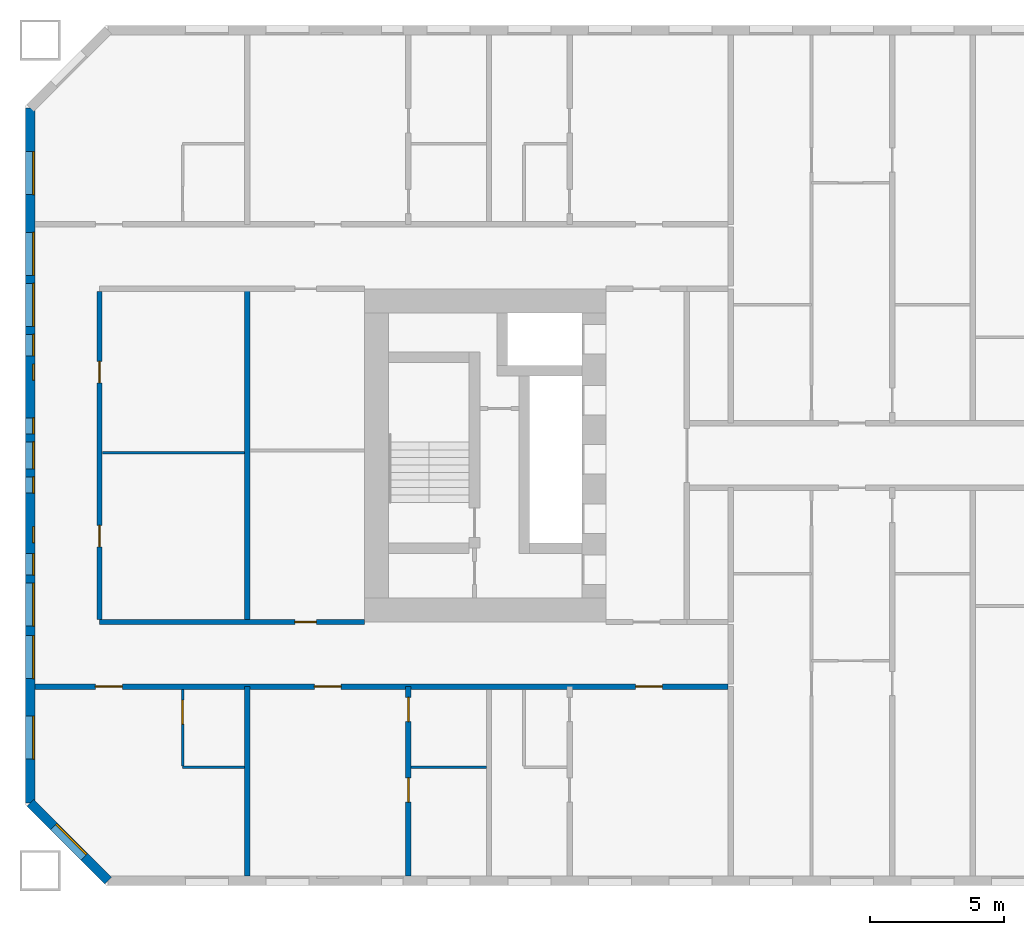
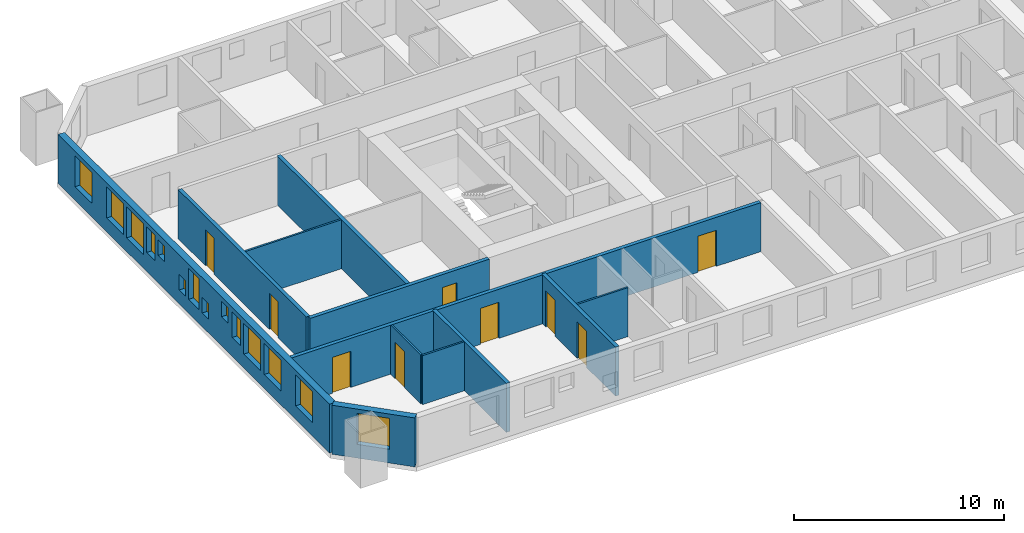
# One storey, part 2 of 17: 14 windows, 12 walls, 9 doors, 23 openings.
"""IFC4 building model written with IfcOpenShell, lengths in metres."""

from ifc_helpers import new_model, si_unit, direction, frame, frame_2d, origin, place, context, subcontext, project, spatial, rectangle, extrude, material, layer, layer_set, type_object, element, fill, save


model = new_model("IFC4")

# Units and contexts
model_context = context("Model", 3, precision=1e-05, world=origin(), true_north=direction((0.0, 1.0)))
body_context = subcontext(model_context, "Body", "Model", "MODEL_VIEW")
ifc_project = project(units=[si_unit("LENGTHUNIT", "METRE"), si_unit("AREAUNIT", "SQUARE_METRE"), si_unit("VOLUMEUNIT", "CUBIC_METRE"), si_unit("PLANEANGLEUNIT", "RADIAN"), si_unit("MASSUNIT", "GRAM", prefix="KILO")], contexts=[model_context])

# Site, building, storey
site_placement = place(None, origin())
site = spatial("IfcSite", under=ifc_project, at=site_placement, CompositionType="ELEMENT")
building_placement = place(site_placement, origin())
building = spatial("IfcBuilding", under=site, at=building_placement, Name="Tuart Gate Housing", CompositionType="ELEMENT")
storey_placement = place(building_placement, frame((0.0, 0.0, 25.699951171875)))
storey = spatial("IfcBuildingStorey", under=building, at=storey_placement, Name="L06", CompositionType="ELEMENT", Elevation=25.699951171875)

# Wall, opening, window
ifc_material_1 = material(Name="Brick", Category="masonry")
ifc_layer_1 = layer(ifc_material_1, 0.360107421875)
ifc_layer_set_1 = layer_set([ifc_layer_1], Name="Brick pier and spandrel wall 360")
wall_type_1 = type_object("IfcWallType", Name="Brick pier and spandrel wall 360", PredefinedType="STANDARD", material=ifc_layer_set_1)
wall_1_placement = place(storey_placement, frame((19.929931640625, 57.07470703125, 0.0), z_axis=(0.0, 0.0, 1.0), x_axis=(0.707106781187, -0.707106781187, 0.0)))
wall_1 = element("IfcWall", 1, at=wall_1_placement, inside=storey, type_object=wall_type_1, Name="External wall A-SW L06", PredefinedType="STANDARD", context=body_context, shape_type="SweptSolid", body=[
    extrude(rectangle(XDim=4.09375, YDim=0.360107421875, at=frame_2d((2.046875, 0.0))), origin(), (0.0, 0.0, 1.0), 2.85009765625),
])
opening_1_placement = place(wall_1_placement, frame((1.2470703125, 0.0, 0.800048828125)))
opening_1 = element("IfcOpeningElement", 2, at=opening_1_placement, cuts=wall_1, Name="Opening W1", PredefinedType="OPENING", context=body_context, shape_type="SweptSolid", body=[
    extrude(rectangle(XDim=1.60009765625, YDim=1.800048828125, at=frame_2d((0.800048828125, 0.89990234375))), frame((0.0, 0.18994140625, 0.0), z_axis=(0.0, -1.0, 0.0), x_axis=(1.0, 0.0, 0.0)), (0.0, 0.0, 1.0), 0.380126953125),
])
ifc_material_2 = material(Name="Aluminium frame with clear glass", Category="aluminium")
window_type_1 = type_object("IfcWindowType", Name="Punched window 1600 x 1800", PartitioningType="SINGLE_PANEL", PredefinedType="WINDOW", material=ifc_material_2)
window_1_placement = place(opening_1_placement, origin())
window_1 = element("IfcWindow", 3, at=window_1_placement, inside=storey, type_object=window_type_1, Name="Window W1", OverallHeight=1.800048828125, OverallWidth=1.60009765625, PartitioningType="SINGLE_PANEL", PredefinedType="WINDOW", context=body_context, shape_type="SweptSolid", body=[
    extrude(rectangle(XDim=1.60009765625, YDim=1.800048828125, at=frame_2d((0.800048828125, 0.89990234375))), frame((0.0, 0.150146484375, 0.0), z_axis=(0.0, -1.0, 0.0), x_axis=(1.0, 0.0, 0.0)), (0.0, 0.0, 1.0), 0.06005859375),
])
fill(opening_1, window_1)

# Wall, openings, windows
wall_2_placement = place(storey_placement, frame((19.929931640625, 82.92529296875, 0.0), z_axis=(0.0, 0.0, 1.0), x_axis=(0.0, -1.0, 0.0)))
wall_2 = element("IfcWall", 4, at=wall_2_placement, inside=storey, type_object=wall_type_1, Name="External wall A-W L06", PredefinedType="STANDARD", context=body_context, shape_type="SweptSolid", body=[
    extrude(rectangle(XDim=25.850830078125, YDim=0.360107421875, at=frame_2d((12.92529296875, 0.0))), origin(), (0.0, 0.0, 1.0), 2.85009765625),
])
opening_2_placement = place(wall_2_placement, frame((1.62548828125, 0.0, 0.800048828125)))
opening_2 = element("IfcOpeningElement", 5, at=opening_2_placement, cuts=wall_2, Name="Opening W1", PredefinedType="OPENING", context=body_context, shape_type="SweptSolid", body=[
    extrude(rectangle(XDim=1.60009765625, YDim=1.800048828125, at=frame_2d((0.800048828125, 0.89990234375))), frame((0.0, 0.18994140625, 0.0), z_axis=(0.0, -1.0, 0.0), x_axis=(1.0, 0.0, 0.0)), (0.0, 0.0, 1.0), 0.380126953125),
])
opening_3_placement = place(wall_2_placement, frame((4.62548828125, 0.0, 0.800048828125)))
opening_3 = element("IfcOpeningElement", 6, at=opening_3_placement, cuts=wall_2, Name="Opening W1", PredefinedType="OPENING", context=body_context, shape_type="SweptSolid", body=[
    extrude(rectangle(XDim=1.60009765625, YDim=1.800048828125, at=frame_2d((0.800048828125, 0.89990234375))), frame((0.0, 0.18994140625, 0.0), z_axis=(0.0, -1.0, 0.0), x_axis=(1.0, 0.0, 0.0)), (0.0, 0.0, 1.0), 0.380126953125),
])
opening_4_placement = place(wall_2_placement, frame((6.525390625, 0.0, 0.800048828125)))
opening_4 = element("IfcOpeningElement", 7, at=opening_4_placement, cuts=wall_2, Name="Opening W1", PredefinedType="OPENING", context=body_context, shape_type="SweptSolid", body=[
    extrude(rectangle(XDim=1.60009765625, YDim=1.800048828125, at=frame_2d((0.800048828125, 0.89990234375))), frame((0.0, 0.18994140625, 0.0), z_axis=(0.0, -1.0, 0.0), x_axis=(1.0, 0.0, 0.0)), (0.0, 0.0, 1.0), 0.380126953125),
])
opening_5_placement = place(wall_2_placement, frame((8.42529296875, 0.0, 1.10009765625)))
opening_5 = element("IfcOpeningElement", 8, at=opening_5_placement, cuts=wall_2, Name="Opening W1J", PredefinedType="OPENING", context=body_context, shape_type="SweptSolid", body=[
    extrude(rectangle(XDim=0.800048828125, YDim=1.5, at=frame_2d((0.39990234375, 0.75))), frame((0.0, 0.18994140625, 0.0), z_axis=(0.0, -1.0, 0.0), x_axis=(1.0, 0.0, 0.0)), (0.0, 0.0, 1.0), 0.380126953125),
])
opening_6_placement = place(wall_2_placement, frame((9.525390625, 0.0, 1.60009765625)))
opening_6 = element("IfcOpeningElement", 9, at=opening_6_placement, cuts=wall_2, Name="Opening W1W", PredefinedType="OPENING", context=body_context, shape_type="SweptSolid", body=[
    extrude(rectangle(XDim=0.60009765625, YDim=0.89990234375, at=frame_2d((0.300048828125, 0.449951171875))), frame((0.0, 0.18994140625, 0.0), z_axis=(0.0, -1.0, 0.0), x_axis=(1.0, 0.0, 0.0)), (0.0, 0.0, 1.0), 0.380126953125),
])
opening_7_placement = place(wall_2_placement, frame((11.525390625, 0.0, 0.800048828125)))
opening_7 = element("IfcOpeningElement", 10, at=opening_7_placement, cuts=wall_2, Name="Opening W1W", PredefinedType="OPENING", context=body_context, shape_type="SweptSolid", body=[
    extrude(rectangle(XDim=0.60009765625, YDim=0.89990234375, at=frame_2d((0.300048828125, 0.449951171875))), frame((0.0, 0.18994140625, 0.0), z_axis=(0.0, -1.0, 0.0), x_axis=(1.0, 0.0, 0.0)), (0.0, 0.0, 1.0), 0.380126953125),
])
opening_8_placement = place(wall_2_placement, frame((19.62548828125, 0.0, 0.800048828125)))
opening_8 = element("IfcOpeningElement", 11, at=opening_8_placement, cuts=wall_2, Name="Opening W1", PredefinedType="OPENING", context=body_context, shape_type="SweptSolid", body=[
    extrude(rectangle(XDim=1.60009765625, YDim=1.800048828125, at=frame_2d((0.800048828125, 0.89990234375))), frame((0.0, 0.18994140625, 0.0), z_axis=(0.0, -1.0, 0.0), x_axis=(1.0, 0.0, 0.0)), (0.0, 0.0, 1.0), 0.380126953125),
])
opening_9_placement = place(wall_2_placement, frame((22.62548828125, 0.0, 0.800048828125)))
opening_9 = element("IfcOpeningElement", 12, at=opening_9_placement, cuts=wall_2, Name="Opening W1", PredefinedType="OPENING", context=body_context, shape_type="SweptSolid", body=[
    extrude(rectangle(XDim=1.60009765625, YDim=1.800048828125, at=frame_2d((0.800048828125, 0.89990234375))), frame((0.0, 0.18994140625, 0.0), z_axis=(0.0, -1.0, 0.0), x_axis=(1.0, 0.0, 0.0)), (0.0, 0.0, 1.0), 0.380126953125),
])
opening_10_placement = place(wall_2_placement, frame((12.42529296875, 0.0, 0.800048828125)))
opening_10 = element("IfcOpeningElement", 13, at=opening_10_placement, cuts=wall_2, Name="Opening W1C", PredefinedType="OPENING", context=body_context, shape_type="SweptSolid", body=[
    extrude(rectangle(XDim=1.0, YDim=1.800048828125, at=frame_2d((0.5, 0.89990234375))), frame((0.0, 0.18994140625, 0.0), z_axis=(0.0, -1.0, 0.0), x_axis=(1.0, 0.0, 0.0)), (0.0, 0.0, 1.0), 0.380126953125),
])
opening_11_placement = place(wall_2_placement, frame((13.725341796875, 0.0, 0.800048828125)))
opening_11 = element("IfcOpeningElement", 14, at=opening_11_placement, cuts=wall_2, Name="Opening W1W", PredefinedType="OPENING", context=body_context, shape_type="SweptSolid", body=[
    extrude(rectangle(XDim=0.60009765625, YDim=0.89990234375, at=frame_2d((0.300048828125, 0.449951171875))), frame((0.0, 0.18994140625, 0.0), z_axis=(0.0, -1.0, 0.0), x_axis=(1.0, 0.0, 0.0)), (0.0, 0.0, 1.0), 0.380126953125),
])
opening_12_placement = place(wall_2_placement, frame((15.575439453125, 0.0, 1.699951171875)))
opening_12 = element("IfcOpeningElement", 15, at=opening_12_placement, cuts=wall_2, Name="Opening W1W", PredefinedType="OPENING", context=body_context, shape_type="SweptSolid", body=[
    extrude(rectangle(XDim=0.60009765625, YDim=0.89990234375, at=frame_2d((0.300048828125, 0.449951171875))), frame((0.0, 0.18994140625, 0.0), z_axis=(0.0, -1.0, 0.0), x_axis=(1.0, 0.0, 0.0)), (0.0, 0.0, 1.0), 0.380126953125),
])
opening_13_placement = place(wall_2_placement, frame((16.575439453125, 0.0, 1.10009765625)))
opening_13 = element("IfcOpeningElement", 16, at=opening_13_placement, cuts=wall_2, Name="Opening W1J", PredefinedType="OPENING", context=body_context, shape_type="SweptSolid", body=[
    extrude(rectangle(XDim=0.800048828125, YDim=1.5, at=frame_2d((0.39990234375, 0.75))), frame((0.0, 0.18994140625, 0.0), z_axis=(0.0, -1.0, 0.0), x_axis=(1.0, 0.0, 0.0)), (0.0, 0.0, 1.0), 0.380126953125),
])
opening_14_placement = place(wall_2_placement, frame((17.67529296875, 0.0, 0.800048828125)))
opening_14 = element("IfcOpeningElement", 17, at=opening_14_placement, cuts=wall_2, Name="Opening W1", PredefinedType="OPENING", context=body_context, shape_type="SweptSolid", body=[
    extrude(rectangle(XDim=1.60009765625, YDim=1.800048828125, at=frame_2d((0.800048828125, 0.89990234375))), frame((0.0, 0.18994140625, 0.0), z_axis=(0.0, -1.0, 0.0), x_axis=(1.0, 0.0, 0.0)), (0.0, 0.0, 1.0), 0.380126953125),
])
ifc_material_3 = material(Name="Aluminium frame with clear glass", Category="aluminium")
window_type_2 = type_object("IfcWindowType", Name="Punched window 1000 x 1800", PartitioningType="SINGLE_PANEL", PredefinedType="WINDOW", material=ifc_material_3)
window_2_placement = place(opening_10_placement, origin())
window_2 = element("IfcWindow", 18, at=window_2_placement, inside=storey, type_object=window_type_2, Name="Window W1C", OverallHeight=1.800048828125, OverallWidth=1.0, PartitioningType="SINGLE_PANEL", PredefinedType="WINDOW", context=body_context, shape_type="SweptSolid", body=[
    extrude(rectangle(XDim=1.0, YDim=1.800048828125, at=frame_2d((0.5, 0.89990234375))), frame((0.0, 0.150146484375, 0.0), z_axis=(0.0, -1.0, 0.0), x_axis=(1.0, 0.0, 0.0)), (0.0, 0.0, 1.0), 0.06005859375),
])
fill(opening_10, window_2)
window_3_placement = place(opening_2_placement, origin())
window_3 = element("IfcWindow", 19, at=window_3_placement, inside=storey, type_object=window_type_1, Name="Window W1", OverallHeight=1.800048828125, OverallWidth=1.60009765625, PartitioningType="SINGLE_PANEL", PredefinedType="WINDOW", context=body_context, shape_type="SweptSolid", body=[
    extrude(rectangle(XDim=1.60009765625, YDim=1.800048828125, at=frame_2d((0.800048828125, 0.89990234375))), frame((0.0, 0.150146484375, 0.0), z_axis=(0.0, -1.0, 0.0), x_axis=(1.0, 0.0, 0.0)), (0.0, 0.0, 1.0), 0.06005859375),
])
fill(opening_2, window_3)
window_4_placement = place(opening_3_placement, origin())
window_4 = element("IfcWindow", 20, at=window_4_placement, inside=storey, type_object=window_type_1, Name="Window W1", OverallHeight=1.800048828125, OverallWidth=1.60009765625, PartitioningType="SINGLE_PANEL", PredefinedType="WINDOW", context=body_context, shape_type="SweptSolid", body=[
    extrude(rectangle(XDim=1.60009765625, YDim=1.800048828125, at=frame_2d((0.800048828125, 0.89990234375))), frame((0.0, 0.150146484375, 0.0), z_axis=(0.0, -1.0, 0.0), x_axis=(1.0, 0.0, 0.0)), (0.0, 0.0, 1.0), 0.06005859375),
])
fill(opening_3, window_4)
window_5_placement = place(opening_4_placement, origin())
window_5 = element("IfcWindow", 21, at=window_5_placement, inside=storey, type_object=window_type_1, Name="Window W1", OverallHeight=1.800048828125, OverallWidth=1.60009765625, PartitioningType="SINGLE_PANEL", PredefinedType="WINDOW", context=body_context, shape_type="SweptSolid", body=[
    extrude(rectangle(XDim=1.60009765625, YDim=1.800048828125, at=frame_2d((0.800048828125, 0.89990234375))), frame((0.0, 0.150146484375, 0.0), z_axis=(0.0, -1.0, 0.0), x_axis=(1.0, 0.0, 0.0)), (0.0, 0.0, 1.0), 0.06005859375),
])
fill(opening_4, window_5)
window_6_placement = place(opening_8_placement, origin())
window_6 = element("IfcWindow", 22, at=window_6_placement, inside=storey, type_object=window_type_1, Name="Window W1", OverallHeight=1.800048828125, OverallWidth=1.60009765625, PartitioningType="SINGLE_PANEL", PredefinedType="WINDOW", context=body_context, shape_type="SweptSolid", body=[
    extrude(rectangle(XDim=1.60009765625, YDim=1.800048828125, at=frame_2d((0.800048828125, 0.89990234375))), frame((0.0, 0.150146484375, 0.0), z_axis=(0.0, -1.0, 0.0), x_axis=(1.0, 0.0, 0.0)), (0.0, 0.0, 1.0), 0.06005859375),
])
fill(opening_8, window_6)
window_7_placement = place(opening_9_placement, origin())
window_7 = element("IfcWindow", 23, at=window_7_placement, inside=storey, type_object=window_type_1, Name="Window W1", OverallHeight=1.800048828125, OverallWidth=1.60009765625, PartitioningType="SINGLE_PANEL", PredefinedType="WINDOW", context=body_context, shape_type="SweptSolid", body=[
    extrude(rectangle(XDim=1.60009765625, YDim=1.800048828125, at=frame_2d((0.800048828125, 0.89990234375))), frame((0.0, 0.150146484375, 0.0), z_axis=(0.0, -1.0, 0.0), x_axis=(1.0, 0.0, 0.0)), (0.0, 0.0, 1.0), 0.06005859375),
])
fill(opening_9, window_7)
window_8_placement = place(opening_14_placement, origin())
window_8 = element("IfcWindow", 24, at=window_8_placement, inside=storey, type_object=window_type_1, Name="Window W1", OverallHeight=1.800048828125, OverallWidth=1.60009765625, PartitioningType="SINGLE_PANEL", PredefinedType="WINDOW", context=body_context, shape_type="SweptSolid", body=[
    extrude(rectangle(XDim=1.60009765625, YDim=1.800048828125, at=frame_2d((0.800048828125, 0.89990234375))), frame((0.0, 0.150146484375, 0.0), z_axis=(0.0, -1.0, 0.0), x_axis=(1.0, 0.0, 0.0)), (0.0, 0.0, 1.0), 0.06005859375),
])
fill(opening_14, window_8)
ifc_material_4 = material(Name="Aluminium frame with clear glass", Category="aluminium")
window_type_3 = type_object("IfcWindowType", Name="Punched window 600 x 900", PartitioningType="SINGLE_PANEL", PredefinedType="WINDOW", material=ifc_material_4)
window_9_placement = place(opening_6_placement, origin())
window_9 = element("IfcWindow", 25, at=window_9_placement, inside=storey, type_object=window_type_3, Name="Window W1W", OverallHeight=0.89990234375, OverallWidth=0.60009765625, PartitioningType="SINGLE_PANEL", PredefinedType="WINDOW", context=body_context, shape_type="SweptSolid", body=[
    extrude(rectangle(XDim=0.60009765625, YDim=0.89990234375, at=frame_2d((0.300048828125, 0.449951171875))), frame((0.0, 0.150146484375, 0.0), z_axis=(0.0, -1.0, 0.0), x_axis=(1.0, 0.0, 0.0)), (0.0, 0.0, 1.0), 0.06005859375),
])
fill(opening_6, window_9)
window_10_placement = place(opening_7_placement, origin())
window_10 = element("IfcWindow", 26, at=window_10_placement, inside=storey, type_object=window_type_3, Name="Window W1W", OverallHeight=0.89990234375, OverallWidth=0.60009765625, PartitioningType="SINGLE_PANEL", PredefinedType="WINDOW", context=body_context, shape_type="SweptSolid", body=[
    extrude(rectangle(XDim=0.60009765625, YDim=0.89990234375, at=frame_2d((0.300048828125, 0.449951171875))), frame((0.0, 0.150146484375, 0.0), z_axis=(0.0, -1.0, 0.0), x_axis=(1.0, 0.0, 0.0)), (0.0, 0.0, 1.0), 0.06005859375),
])
fill(opening_7, window_10)
window_11_placement = place(opening_11_placement, origin())
window_11 = element("IfcWindow", 27, at=window_11_placement, inside=storey, type_object=window_type_3, Name="Window W1W", OverallHeight=0.89990234375, OverallWidth=0.60009765625, PartitioningType="SINGLE_PANEL", PredefinedType="WINDOW", context=body_context, shape_type="SweptSolid", body=[
    extrude(rectangle(XDim=0.60009765625, YDim=0.89990234375, at=frame_2d((0.300048828125, 0.449951171875))), frame((0.0, 0.150146484375, 0.0), z_axis=(0.0, -1.0, 0.0), x_axis=(1.0, 0.0, 0.0)), (0.0, 0.0, 1.0), 0.06005859375),
])
fill(opening_11, window_11)
window_12_placement = place(opening_12_placement, origin())
window_12 = element("IfcWindow", 28, at=window_12_placement, inside=storey, type_object=window_type_3, Name="Window W1W", OverallHeight=0.89990234375, OverallWidth=0.60009765625, PartitioningType="SINGLE_PANEL", PredefinedType="WINDOW", context=body_context, shape_type="SweptSolid", body=[
    extrude(rectangle(XDim=0.60009765625, YDim=0.89990234375, at=frame_2d((0.300048828125, 0.449951171875))), frame((0.0, 0.150146484375, 0.0), z_axis=(0.0, -1.0, 0.0), x_axis=(1.0, 0.0, 0.0)), (0.0, 0.0, 1.0), 0.06005859375),
])
fill(opening_12, window_12)
ifc_material_5 = material(Name="Aluminium frame with clear glass", Category="aluminium")
window_type_4 = type_object("IfcWindowType", Name="Punched window 800 x 1500", PartitioningType="SINGLE_PANEL", PredefinedType="WINDOW", material=ifc_material_5)
window_13_placement = place(opening_5_placement, origin())
window_13 = element("IfcWindow", 29, at=window_13_placement, inside=storey, type_object=window_type_4, Name="Window W1J", OverallHeight=1.5, OverallWidth=0.800048828125, PartitioningType="SINGLE_PANEL", PredefinedType="WINDOW", context=body_context, shape_type="SweptSolid", body=[
    extrude(rectangle(XDim=0.800048828125, YDim=1.5, at=frame_2d((0.39990234375, 0.75))), frame((0.0, 0.150146484375, 0.0), z_axis=(0.0, -1.0, 0.0), x_axis=(1.0, 0.0, 0.0)), (0.0, 0.0, 1.0), 0.06005859375),
])
fill(opening_5, window_13)
window_14_placement = place(opening_13_placement, origin())
window_14 = element("IfcWindow", 30, at=window_14_placement, inside=storey, type_object=window_type_4, Name="Window W1J", OverallHeight=1.5, OverallWidth=0.800048828125, PartitioningType="SINGLE_PANEL", PredefinedType="WINDOW", context=body_context, shape_type="SweptSolid", body=[
    extrude(rectangle(XDim=0.800048828125, YDim=1.5, at=frame_2d((0.39990234375, 0.75))), frame((0.0, 0.150146484375, 0.0), z_axis=(0.0, -1.0, 0.0), x_axis=(1.0, 0.0, 0.0)), (0.0, 0.0, 1.0), 0.06005859375),
])
fill(opening_13, window_14)

# Wall, openings, doors
ifc_material_6 = material(Name="Concrete masonry 15 MPa", Category="masonry")
ifc_layer_2 = layer(ifc_material_6, 0.199951171875)
ifc_layer_set_2 = layer_set([ifc_layer_2], Name="Corridor wall masonry 200")
wall_type_2 = type_object("IfcWallType", Name="Corridor wall masonry 200", PredefinedType="PARTITIONING", material=ifc_layer_set_2)
wall_3_placement = place(storey_placement, frame((20.110107421875, 61.39990234375, 0.0), z_axis=(0.0, 0.0, 1.0), x_axis=(1.0, 0.0, 0.0)))
wall_3 = element("IfcWall", 31, at=wall_3_placement, inside=storey, type_object=wall_type_2, Name="Corridor wall masonry 200", PredefinedType="PARTITIONING", context=body_context, shape_type="SweptSolid", body=[
    extrude(rectangle(XDim=25.789794921875, YDim=0.199951171875, at=frame_2d((12.89501953125, 0.0))), origin(), (0.0, 0.0, 1.0), 2.85009765625),
])
opening_15_placement = place(wall_3_placement, frame((22.340087890625, 0.0, 0.0)))
opening_15 = element("IfcOpeningElement", 32, at=opening_15_placement, cuts=wall_3, Name="Opening D397", PredefinedType="OPENING", context=body_context, shape_type="SweptSolid", body=[
    extrude(rectangle(XDim=1.0, YDim=2.10009765625, at=frame_2d((0.5, 1.050048828125))), frame((0.0, 0.10986328125, 0.0), z_axis=(0.0, -1.0, 0.0), x_axis=(1.0, 0.0, 0.0)), (0.0, 0.0, 1.0), 0.219970703125),
])
opening_16_placement = place(wall_3_placement, frame((10.389892578125, 0.0, 0.0)))
opening_16 = element("IfcOpeningElement", 33, at=opening_16_placement, cuts=wall_3, Name="Opening D398", PredefinedType="OPENING", context=body_context, shape_type="SweptSolid", body=[
    extrude(rectangle(XDim=1.0, YDim=2.10009765625, at=frame_2d((0.5, 1.050048828125))), frame((0.0, 0.10986328125, 0.0), z_axis=(0.0, -1.0, 0.0), x_axis=(1.0, 0.0, 0.0)), (0.0, 0.0, 1.0), 0.219970703125),
])
opening_17_placement = place(wall_3_placement, frame((2.2451171875, 0.0, 0.0)))
opening_17 = element("IfcOpeningElement", 34, at=opening_17_placement, cuts=wall_3, Name="Opening D399", PredefinedType="OPENING", context=body_context, shape_type="SweptSolid", body=[
    extrude(rectangle(XDim=1.0, YDim=2.10009765625, at=frame_2d((0.5, 1.050048828125))), frame((0.0, 0.10986328125, 0.0), z_axis=(0.0, -1.0, 0.0), x_axis=(1.0, 0.0, 0.0)), (0.0, 0.0, 1.0), 0.219970703125),
])
ifc_material_7 = material(Name="Timber door leaf in steel frame", Category="steel")
door_type_1 = type_object("IfcDoorType", Name="Flat entrance door 1000 RH", OperationType="SINGLE_SWING_RIGHT", PredefinedType="DOOR", material=ifc_material_7)
door_1_placement = place(opening_15_placement, frame((1.0, 0.0, 0.0), z_axis=(0.0, 0.0, 1.0), x_axis=(-1.0, 0.0, 0.0)))
door_1 = element("IfcDoor", 35, at=door_1_placement, inside=storey, type_object=door_type_1, Name="Flat entrance door", OperationType="SINGLE_SWING_RIGHT", OverallHeight=2.10009765625, OverallWidth=1.0, PredefinedType="DOOR", context=body_context, shape_type="SweptSolid", body=[
    extrude(rectangle(XDim=1.0, YDim=2.10009765625, at=frame_2d((0.5, 1.050048828125))), frame((0.0, 0.025146484375, 0.0), z_axis=(0.0, -1.0, 0.0), x_axis=(1.0, 0.0, 0.0)), (0.0, 0.0, 1.0), 0.050048828125),
])
fill(opening_15, door_1)
door_2_placement = place(opening_16_placement, frame((1.0, 0.0, 0.0), z_axis=(0.0, 0.0, 1.0), x_axis=(-1.0, 0.0, 0.0)))
door_2 = element("IfcDoor", 36, at=door_2_placement, inside=storey, type_object=door_type_1, Name="Flat entrance door", OperationType="SINGLE_SWING_RIGHT", OverallHeight=2.10009765625, OverallWidth=1.0, PredefinedType="DOOR", context=body_context, shape_type="SweptSolid", body=[
    extrude(rectangle(XDim=1.0, YDim=2.10009765625, at=frame_2d((0.5, 1.050048828125))), frame((0.0, 0.025146484375, 0.0), z_axis=(0.0, -1.0, 0.0), x_axis=(1.0, 0.0, 0.0)), (0.0, 0.0, 1.0), 0.050048828125),
])
fill(opening_16, door_2)
door_3_placement = place(opening_17_placement, frame((1.0, 0.0, 0.0), z_axis=(0.0, 0.0, 1.0), x_axis=(-1.0, 0.0, 0.0)))
door_3 = element("IfcDoor", 37, at=door_3_placement, inside=storey, type_object=door_type_1, Name="Flat entrance door", OperationType="SINGLE_SWING_RIGHT", OverallHeight=2.10009765625, OverallWidth=1.0, PredefinedType="DOOR", context=body_context, shape_type="SweptSolid", body=[
    extrude(rectangle(XDim=1.0, YDim=2.10009765625, at=frame_2d((0.5, 1.050048828125))), frame((0.0, 0.025146484375, 0.0), z_axis=(0.0, -1.0, 0.0), x_axis=(1.0, 0.0, 0.0)), (0.0, 0.0, 1.0), 0.050048828125),
])
fill(opening_17, door_3)

# Wall, opening, door
wall_4_placement = place(storey_placement, frame((22.510009765625, 63.800048828125, 0.0), z_axis=(0.0, 0.0, 1.0), x_axis=(1.0, 0.0, 0.0)))
wall_4 = element("IfcWall", 38, at=wall_4_placement, inside=storey, type_object=wall_type_2, Name="Corridor wall masonry 200", PredefinedType="PARTITIONING", context=body_context, shape_type="SweptSolid", body=[
    extrude(rectangle(XDim=9.85009765625, YDim=0.199951171875, at=frame_2d((4.925048828125, 0.0))), origin(), (0.0, 0.0, 1.0), 2.85009765625),
])
opening_18_placement = place(wall_4_placement, frame((7.27001953125, 0.0, 0.0)))
opening_18 = element("IfcOpeningElement", 39, at=opening_18_placement, cuts=wall_4, Name="Opening D384", PredefinedType="OPENING", context=body_context, shape_type="SweptSolid", body=[
    extrude(rectangle(XDim=0.800048828125, YDim=2.10009765625, at=frame_2d((0.39990234375, 1.050048828125))), frame((0.0, 0.10986328125, 0.0), z_axis=(0.0, -1.0, 0.0), x_axis=(1.0, 0.0, 0.0)), (0.0, 0.0, 1.0), 0.219970703125),
])
ifc_material_8 = material(Name="Timber door leaf in steel frame", Category="steel")
door_type_2 = type_object("IfcDoorType", Name="Store door 800", OperationType="SINGLE_SWING_LEFT", PredefinedType="DOOR", material=ifc_material_8)
door_4_placement = place(opening_18_placement, origin())
door_4 = element("IfcDoor", 40, at=door_4_placement, inside=storey, type_object=door_type_2, Name="Store door", OperationType="SINGLE_SWING_LEFT", OverallHeight=2.10009765625, OverallWidth=0.800048828125, PredefinedType="DOOR", context=body_context, shape_type="SweptSolid", body=[
    extrude(rectangle(XDim=0.800048828125, YDim=2.10009765625, at=frame_2d((0.39990234375, 1.050048828125))), frame((0.0, 0.02490234375, 0.0), z_axis=(0.0, -1.0, 0.0), x_axis=(1.0, 0.0, 0.0)), (0.0, 0.0, 1.0), 0.050048828125),
])
fill(opening_18, door_4)

# Wall, openings, doors
wall_5_placement = place(storey_placement, frame((22.510009765625, 63.89990234375, 0.0), z_axis=(0.0, 0.0, 1.0), x_axis=(0.0, 1.0, 0.0)))
wall_5 = element("IfcWall", 41, at=wall_5_placement, inside=storey, type_object=wall_type_2, Name="Corridor wall masonry 200", PredefinedType="PARTITIONING", context=body_context, shape_type="SweptSolid", body=[
    extrude(rectangle(XDim=12.2001953125, YDim=0.199951171875, at=frame_2d((6.10009765625, 0.0))), origin(), (0.0, 0.0, 1.0), 2.85009765625),
])
opening_19_placement = place(wall_5_placement, frame((2.699951171875, 0.0, 0.0)))
opening_19 = element("IfcOpeningElement", 42, at=opening_19_placement, cuts=wall_5, Name="Opening D373", PredefinedType="OPENING", context=body_context, shape_type="SweptSolid", body=[
    extrude(rectangle(XDim=0.800048828125, YDim=2.10009765625, at=frame_2d((0.39990234375, 1.050048828125))), frame((0.0, 0.10986328125, 0.0), z_axis=(0.0, -1.0, 0.0), x_axis=(1.0, 0.0, 0.0)), (0.0, 0.0, 1.0), 0.219970703125),
])
opening_20_placement = place(wall_5_placement, frame((8.800048828125, 0.0, 0.0)))
opening_20 = element("IfcOpeningElement", 43, at=opening_20_placement, cuts=wall_5, Name="Opening D374", PredefinedType="OPENING", context=body_context, shape_type="SweptSolid", body=[
    extrude(rectangle(XDim=0.800048828125, YDim=2.10009765625, at=frame_2d((0.39990234375, 1.050048828125))), frame((0.0, 0.10986328125, 0.0), z_axis=(0.0, -1.0, 0.0), x_axis=(1.0, 0.0, 0.0)), (0.0, 0.0, 1.0), 0.219970703125),
])
door_5_placement = place(opening_19_placement, frame((0.800048828125, 0.0, 0.0), z_axis=(0.0, 0.0, 1.0), x_axis=(-1.0, 0.0, 0.0)))
door_5 = element("IfcDoor", 44, at=door_5_placement, inside=storey, type_object=door_type_2, Name="Store door", OperationType="SINGLE_SWING_LEFT", OverallHeight=2.10009765625, OverallWidth=0.800048828125, PredefinedType="DOOR", context=body_context, shape_type="SweptSolid", body=[
    extrude(rectangle(XDim=0.800048828125, YDim=2.10009765625, at=frame_2d((0.400146484375, 1.050048828125))), frame((0.0, 0.025146484375, 0.0), z_axis=(0.0, -1.0, 0.0), x_axis=(1.0, 0.0, 0.0)), (0.0, 0.0, 1.0), 0.050048828125),
])
fill(opening_19, door_5)
ifc_material_9 = material(Name="Timber door leaf in steel frame", Category="steel")
door_type_3 = type_object("IfcDoorType", Name="Store door 800 RH", OperationType="SINGLE_SWING_RIGHT", PredefinedType="DOOR", material=ifc_material_9)
door_6_placement = place(opening_20_placement, frame((0.800048828125, 0.0, 0.0), z_axis=(0.0, 0.0, 1.0), x_axis=(-1.0, 0.0, 0.0)))
door_6 = element("IfcDoor", 45, at=door_6_placement, inside=storey, type_object=door_type_3, Name="Store door", OperationType="SINGLE_SWING_RIGHT", OverallHeight=2.10009765625, OverallWidth=0.800048828125, PredefinedType="DOOR", context=body_context, shape_type="SweptSolid", body=[
    extrude(rectangle(XDim=0.800048828125, YDim=2.10009765625, at=frame_2d((0.400146484375, 1.050048828125))), frame((0.0, 0.025146484375, 0.0), z_axis=(0.0, -1.0, 0.0), x_axis=(1.0, 0.0, 0.0)), (0.0, 0.0, 1.0), 0.050048828125),
])
fill(opening_20, door_6)

# Walls
ifc_material_10 = material(Name="Gypsum board on steel studs", Category="steel")
ifc_layer_3 = layer(ifc_material_10, 0.10009765625)
ifc_layer_set_3 = layer_set([ifc_layer_3], Name="Partition 100")
wall_type_3 = type_object("IfcWallType", Name="Partition 100", PredefinedType="PARTITIONING", material=ifc_layer_set_3)
wall_6_placement = place(storey_placement, frame((25.60009765625, 58.39990234375, 0.0), z_axis=(0.0, 0.0, 1.0), x_axis=(1.0, 0.0, 0.0)))
element("IfcWall", 46, at=wall_6_placement, inside=storey, type_object=wall_type_3, Name="Partition 100", PredefinedType="PARTITIONING", context=body_context, shape_type="SweptSolid", body=[
    extrude(rectangle(XDim=2.2998046875, YDim=0.10009765625, at=frame_2d((1.14990234375, 0.0))), origin(), (0.0, 0.0, 1.0), 2.85009765625),
])
wall_7_placement = place(storey_placement, frame((34.10009765625, 58.39990234375, 0.0), z_axis=(0.0, 0.0, 1.0), x_axis=(1.0, 0.0, 0.0)))
element("IfcWall", 47, at=wall_7_placement, inside=storey, type_object=wall_type_3, Name="Partition 100", PredefinedType="PARTITIONING", context=body_context, shape_type="SweptSolid", body=[
    extrude(rectangle(XDim=2.7998046875, YDim=0.10009765625, at=frame_2d((1.39990234375, 0.0))), origin(), (0.0, 0.0, 1.0), 2.85009765625),
])
wall_8_placement = place(storey_placement, frame((22.610107421875, 70.10009765625, 0.0), z_axis=(0.0, 0.0, 1.0), x_axis=(1.0, 0.0, 0.0)))
element("IfcWall", 48, at=wall_8_placement, inside=storey, type_object=wall_type_3, Name="Partition 100", PredefinedType="PARTITIONING", context=body_context, shape_type="SweptSolid", body=[
    extrude(rectangle(XDim=5.289794921875, YDim=0.10009765625, at=frame_2d((2.64501953125, 0.0))), origin(), (0.0, 0.0, 1.0), 2.85009765625),
])

# Wall, opening, door
wall_9_placement = place(storey_placement, frame((25.60009765625, 58.449951171875, 0.0), z_axis=(0.0, 0.0, 1.0), x_axis=(0.0, 1.0, 0.0)))
wall_9 = element("IfcWall", 49, at=wall_9_placement, inside=storey, type_object=wall_type_3, Name="Partition 100", PredefinedType="PARTITIONING", context=body_context, shape_type="SweptSolid", body=[
    extrude(rectangle(XDim=2.85009765625, YDim=0.10009765625, at=frame_2d((1.425048828125, 0.0))), origin(), (0.0, 0.0, 1.0), 2.85009765625),
])
opening_21_placement = place(wall_9_placement, frame((1.550048828125, 0.0, 0.0)))
opening_21 = element("IfcOpeningElement", 50, at=opening_21_placement, cuts=wall_9, Name="Opening D402", PredefinedType="OPENING", context=body_context, shape_type="SweptSolid", body=[
    extrude(rectangle(XDim=0.89990234375, YDim=2.10009765625, at=frame_2d((0.449951171875, 1.050048828125))), frame((0.0, 0.06005859375, 0.0), z_axis=(0.0, -1.0, 0.0), x_axis=(1.0, 0.0, 0.0)), (0.0, 0.0, 1.0), 0.1201171875),
])
ifc_material_11 = material(Name="Timber door leaf in steel frame", Category="steel")
door_type_4 = type_object("IfcDoorType", Name="Bathroom door 900", OperationType="SINGLE_SWING_LEFT", PredefinedType="DOOR", material=ifc_material_11)
door_7_placement = place(opening_21_placement, frame((0.89990234375, 0.0, 0.0), z_axis=(0.0, 0.0, 1.0), x_axis=(-1.0, 0.0, 0.0)))
door_7 = element("IfcDoor", 51, at=door_7_placement, inside=storey, type_object=door_type_4, Name="Bathroom door", OperationType="SINGLE_SWING_LEFT", OverallHeight=2.10009765625, OverallWidth=0.89990234375, PredefinedType="DOOR", context=body_context, shape_type="SweptSolid", body=[
    extrude(rectangle(XDim=0.89990234375, YDim=2.10009765625, at=frame_2d((0.449951171875, 1.050048828125))), frame((0.0, 0.025146484375, 0.0), z_axis=(0.0, -1.0, 0.0), x_axis=(1.0, 0.0, 0.0)), (0.0, 0.0, 1.0), 0.050048828125),
])
fill(opening_21, door_7)

# Walls
ifc_material_12 = material(Name="Concrete C40", Category="concrete")
ifc_layer_4 = layer(ifc_material_12, 0.199951171875)
ifc_layer_set_4 = layer_set([ifc_layer_4], Name="Party wall concrete C40 200")
wall_type_4 = type_object("IfcWallType", Name="Party wall concrete C40 200", PredefinedType="SOLIDWALL", material=ifc_layer_set_4)
wall_10_placement = place(storey_placement, frame((28.0, 54.360107421875, 0.0), z_axis=(0.0, 0.0, 1.0), x_axis=(0.0, 1.0, 0.0)))
element("IfcWall", 52, at=wall_10_placement, inside=storey, type_object=wall_type_4, Name="Party wall concrete C40 200", PredefinedType="SOLIDWALL", context=body_context, shape_type="SweptSolid", body=[
    extrude(rectangle(XDim=7.039794921875, YDim=0.199951171875, at=frame_2d((3.52001953125, 0.0))), origin(), (0.0, 0.0, 1.0), 2.85009765625),
])
wall_11_placement = place(storey_placement, frame((28.0, 63.800048828125, 0.0), z_axis=(0.0, 0.0, 1.0), x_axis=(0.0, 1.0, 0.0)))
element("IfcWall", 53, at=wall_11_placement, inside=storey, type_object=wall_type_4, Name="Party wall concrete C40 200", PredefinedType="SOLIDWALL", context=body_context, shape_type="SweptSolid", body=[
    extrude(rectangle(XDim=12.39990234375, YDim=0.199951171875, at=frame_2d((6.199951171875, 0.0))), origin(), (0.0, 0.0, 1.0), 2.85009765625),
])

# Wall, openings, doors
wall_12_placement = place(storey_placement, frame((34.0, 54.360107421875, 0.0), z_axis=(0.0, 0.0, 1.0), x_axis=(0.0, 1.0, 0.0)))
wall_12 = element("IfcWall", 54, at=wall_12_placement, inside=storey, type_object=wall_type_4, Name="Party wall concrete C40 200", PredefinedType="SOLIDWALL", context=body_context, shape_type="SweptSolid", body=[
    extrude(rectangle(XDim=7.039794921875, YDim=0.199951171875, at=frame_2d((3.52001953125, 0.0))), origin(), (0.0, 0.0, 1.0), 2.85009765625),
])
opening_22_placement = place(wall_12_placement, frame((2.739990234375, 0.0, 0.0)))
opening_22 = element("IfcOpeningElement", 55, at=opening_22_placement, cuts=wall_12, Name="Opening D406", PredefinedType="OPENING", context=body_context, shape_type="SweptSolid", body=[
    extrude(rectangle(XDim=0.89990234375, YDim=2.10009765625, at=frame_2d((0.449951171875, 1.050048828125))), frame((0.0, 0.10986328125, 0.0), z_axis=(0.0, -1.0, 0.0), x_axis=(1.0, 0.0, 0.0)), (0.0, 0.0, 1.0), 0.219970703125),
])
opening_23_placement = place(wall_12_placement, frame((5.739990234375, 0.0, 0.0)))
opening_23 = element("IfcOpeningElement", 56, at=opening_23_placement, cuts=wall_12, Name="Opening D405", PredefinedType="OPENING", context=body_context, shape_type="SweptSolid", body=[
    extrude(rectangle(XDim=0.89990234375, YDim=2.10009765625, at=frame_2d((0.449951171875, 1.050048828125))), frame((0.0, 0.10986328125, 0.0), z_axis=(0.0, -1.0, 0.0), x_axis=(1.0, 0.0, 0.0)), (0.0, 0.0, 1.0), 0.219970703125),
])
door_8_placement = place(opening_23_placement, frame((0.89990234375, 0.0, 0.0), z_axis=(0.0, 0.0, 1.0), x_axis=(-1.0, 0.0, 0.0)))
door_8 = element("IfcDoor", 57, at=door_8_placement, inside=storey, type_object=door_type_4, Name="Bathroom door", OperationType="SINGLE_SWING_LEFT", OverallHeight=2.10009765625, OverallWidth=0.89990234375, PredefinedType="DOOR", context=body_context, shape_type="SweptSolid", body=[
    extrude(rectangle(XDim=0.89990234375, YDim=2.10009765625, at=frame_2d((0.449951171875, 1.050048828125))), frame((0.0, 0.025146484375, 0.0), z_axis=(0.0, -1.0, 0.0), x_axis=(1.0, 0.0, 0.0)), (0.0, 0.0, 1.0), 0.050048828125),
])
fill(opening_23, door_8)
ifc_material_13 = material(Name="Timber door leaf in steel frame", Category="steel")
door_type_5 = type_object("IfcDoorType", Name="Internal door 900", OperationType="SINGLE_SWING_LEFT", PredefinedType="DOOR", material=ifc_material_13)
door_9_placement = place(opening_22_placement, frame((0.89990234375, 0.0, 0.0), z_axis=(0.0, 0.0, 1.0), x_axis=(-1.0, 0.0, 0.0)))
door_9 = element("IfcDoor", 58, at=door_9_placement, inside=storey, type_object=door_type_5, Name="Internal door", OperationType="SINGLE_SWING_LEFT", OverallHeight=2.10009765625, OverallWidth=0.89990234375, PredefinedType="DOOR", context=body_context, shape_type="SweptSolid", body=[
    extrude(rectangle(XDim=0.89990234375, YDim=2.10009765625, at=frame_2d((0.449951171875, 1.050048828125))), frame((0.0, 0.025146484375, 0.0), z_axis=(0.0, -1.0, 0.0), x_axis=(1.0, 0.0, 0.0)), (0.0, 0.0, 1.0), 0.050048828125),
])
fill(opening_22, door_9)

save(model, "model.ifc")
